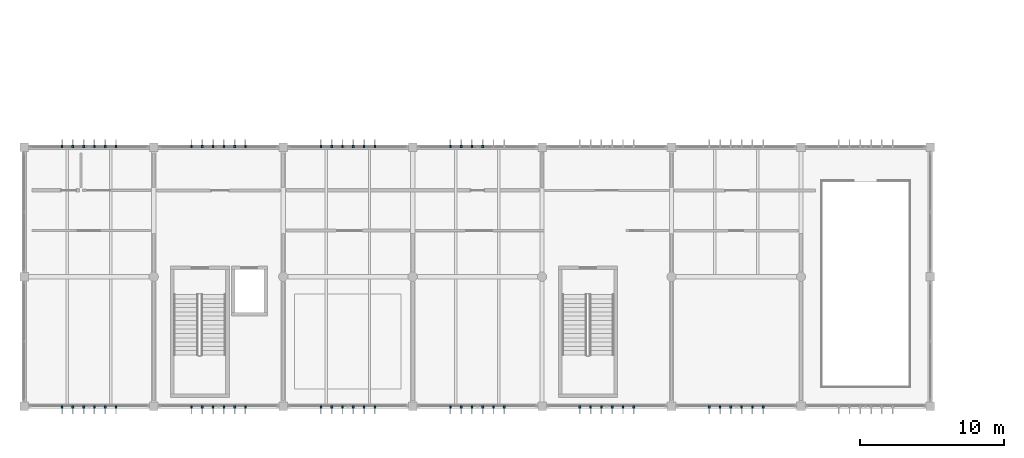
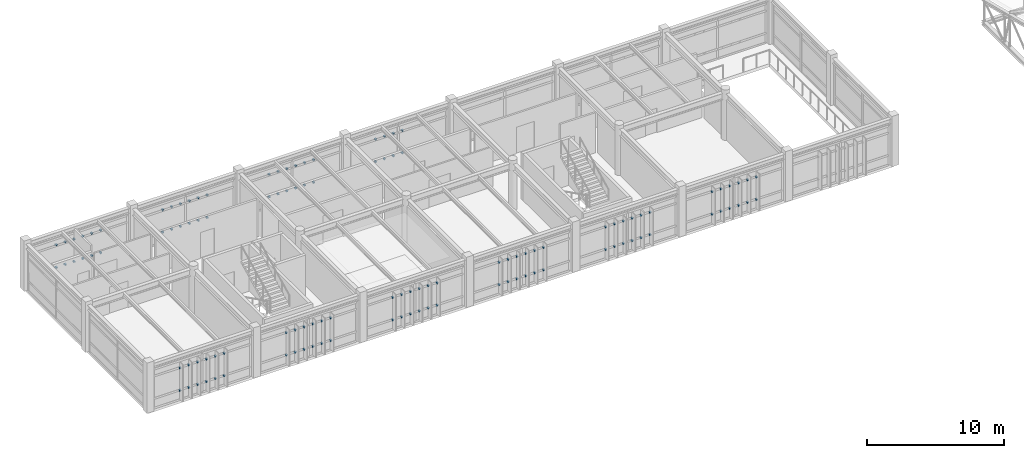
# One storey, part 48 of 55: 116 discrete accessories.
"""IFC4 building model written with IfcOpenShell, lengths in metres."""

from ifc_helpers import new_model, si_unit, direction, frame, origin, origin_2d, place, context, subcontext, project, spatial, rectangle, extrude, material, type_object, element, save


model = new_model("IFC4")

# Units and contexts
model_context = context("Model", 3, precision=1e-05, world=origin(), true_north=direction((0.0, 1.0)))
body_context = subcontext(model_context, "Body", "Model", "MODEL_VIEW")
ifc_project = project(units=[si_unit("LENGTHUNIT", "METRE"), si_unit("AREAUNIT", "SQUARE_METRE"), si_unit("VOLUMEUNIT", "CUBIC_METRE"), si_unit("PLANEANGLEUNIT", "RADIAN"), si_unit("MASSUNIT", "GRAM", prefix="KILO")], contexts=[model_context])

# Site, building, storey
site_placement = place(None, origin())
site = spatial("IfcSite", under=ifc_project, at=site_placement, CompositionType="ELEMENT")
building_placement = place(site_placement, origin())
building = spatial("IfcBuilding", under=site, at=building_placement, Name="Bozkorgan Art Gallery", CompositionType="ELEMENT")
storey_placement = place(building_placement, frame((0.0, 0.0, 15.0)))
storey = spatial("IfcBuildingStorey", under=building, at=storey_placement, Name="L03", CompositionType="ELEMENT", Elevation=15.0)

# Discrete accessories
ifc_material = material(Name="Steel S355J2", Category="steel")
discrete_accessory_type = type_object("IfcDiscreteAccessoryType", Name="ACC-BRK-01", PredefinedType="BRACKET", material=ifc_material)
for number, where, z_axis, x_axis, name in (
    (1, (4.625, 1.93994140625, 0.869873046875), (0.0, 0.0, 1.0), (0.0, -1.0, 0.0), "CW-V1-L03-1S-01 solar fin bracket 1B"),
    (2, (4.625, 1.93994140625, 2.875), (0.0, 0.0, 1.0), (0.0, -1.0, 0.0), "CW-V1-L03-1S-01 solar fin bracket 1T"),
    (3, (5.375, 1.93994140625, 0.869873046875), (0.0, 0.0, 1.0), (0.0, -1.0, 0.0), "CW-V1-L03-1S-01 solar fin bracket 2B"),
    (4, (5.375, 1.93994140625, 2.875), (0.0, 0.0, 1.0), (0.0, -1.0, 0.0), "CW-V1-L03-1S-01 solar fin bracket 2T"),
    (5, (6.125, 1.93994140625, 0.869873046875), (0.0, 0.0, 1.0), (0.0, -1.0, 0.0), "CW-V1-L03-1S-01 solar fin bracket 3B"),
    (6, (6.125, 1.93994140625, 2.875), (0.0, 0.0, 1.0), (0.0, -1.0, 0.0), "CW-V1-L03-1S-01 solar fin bracket 3T"),
    (7, (6.875, 1.93994140625, 0.869873046875), (0.0, 0.0, 1.0), (0.0, -1.0, 0.0), "CW-V1-L03-1S-01 solar fin bracket 4B"),
    (8, (6.875, 1.93994140625, 2.875), (0.0, 0.0, 1.0), (0.0, -1.0, 0.0), "CW-V1-L03-1S-01 solar fin bracket 4T"),
    (9, (7.625, 1.93994140625, 0.869873046875), (0.0, 0.0, 1.0), (0.0, -1.0, 0.0), "CW-V1-L03-1S-01 solar fin bracket 5B"),
    (10, (7.625, 1.93994140625, 2.875), (0.0, 0.0, 1.0), (0.0, -1.0, 0.0), "CW-V1-L03-1S-01 solar fin bracket 5T"),
    (11, (8.375, 1.93994140625, 0.869873046875), (0.0, 0.0, 1.0), (0.0, -1.0, 0.0), "CW-V1-L03-1S-01 solar fin bracket 6B"),
    (12, (8.375, 1.93994140625, 2.875), (0.0, 0.0, 1.0), (0.0, -1.0, 0.0), "CW-V1-L03-1S-01 solar fin bracket 6T"),
    (13, (4.625, 20.06005859375, 0.869873046875), (0.0, 0.0, 1.0), (0.0, 1.0, 0.0), "CW-V1-L03-1N-02 solar fin bracket 1B"),
    (14, (4.625, 20.06005859375, 2.875), (0.0, 0.0, 1.0), (0.0, 1.0, 0.0), "CW-V1-L03-1N-02 solar fin bracket 1T"),
    (15, (5.375, 20.06005859375, 0.869873046875), (0.0, 0.0, 1.0), (0.0, 1.0, 0.0), "CW-V1-L03-1N-02 solar fin bracket 2B"),
    (16, (5.375, 20.06005859375, 2.875), (0.0, 0.0, 1.0), (0.0, 1.0, 0.0), "CW-V1-L03-1N-02 solar fin bracket 2T"),
    (17, (6.125, 20.06005859375, 0.869873046875), (0.0, 0.0, 1.0), (0.0, 1.0, 0.0), "CW-V1-L03-1N-02 solar fin bracket 3B"),
    (18, (6.125, 20.06005859375, 2.875), (0.0, 0.0, 1.0), (0.0, 1.0, 0.0), "CW-V1-L03-1N-02 solar fin bracket 3T"),
    (19, (6.875, 20.06005859375, 0.869873046875), (0.0, 0.0, 1.0), (0.0, 1.0, 0.0), "CW-V1-L03-1N-02 solar fin bracket 4B"),
    (20, (6.875, 20.06005859375, 2.875), (0.0, 0.0, 1.0), (0.0, 1.0, 0.0), "CW-V1-L03-1N-02 solar fin bracket 4T"),
    (21, (7.625, 20.06005859375, 0.869873046875), (0.0, 0.0, 1.0), (0.0, 1.0, 0.0), "CW-V1-L03-1N-02 solar fin bracket 5B"),
    (22, (7.625, 20.06005859375, 2.875), (0.0, 0.0, 1.0), (0.0, 1.0, 0.0), "CW-V1-L03-1N-02 solar fin bracket 5T"),
    (23, (8.375, 20.06005859375, 0.869873046875), (0.0, 0.0, 1.0), (0.0, 1.0, 0.0), "CW-V1-L03-1N-02 solar fin bracket 6B"),
    (24, (8.375, 20.06005859375, 2.875), (0.0, 0.0, 1.0), (0.0, 1.0, 0.0), "CW-V1-L03-1N-02 solar fin bracket 6T"),
    (25, (13.625, 1.93994140625, 0.869873046875), (0.0, 0.0, 1.0), (0.0, -1.0, 0.0), "CW-V1-L03-1S-03 solar fin bracket 1B"),
    (26, (13.625, 1.93994140625, 2.875), (0.0, 0.0, 1.0), (0.0, -1.0, 0.0), "CW-V1-L03-1S-03 solar fin bracket 1T"),
    (27, (14.375, 1.93994140625, 0.869873046875), (0.0, 0.0, 1.0), (0.0, -1.0, 0.0), "CW-V1-L03-1S-03 solar fin bracket 2B"),
    (28, (14.375, 1.93994140625, 2.875), (0.0, 0.0, 1.0), (0.0, -1.0, 0.0), "CW-V1-L03-1S-03 solar fin bracket 2T"),
    (29, (15.125, 1.93994140625, 0.869873046875), (0.0, 0.0, 1.0), (0.0, -1.0, 0.0), "CW-V1-L03-1S-03 solar fin bracket 3B"),
    (30, (15.125, 1.93994140625, 2.875), (0.0, 0.0, 1.0), (0.0, -1.0, 0.0), "CW-V1-L03-1S-03 solar fin bracket 3T"),
    (31, (15.875, 1.93994140625, 0.869873046875), (0.0, 0.0, 1.0), (0.0, -1.0, 0.0), "CW-V1-L03-1S-03 solar fin bracket 4B"),
    (32, (15.875, 1.93994140625, 2.875), (0.0, 0.0, 1.0), (0.0, -1.0, 0.0), "CW-V1-L03-1S-03 solar fin bracket 4T"),
    (33, (16.625, 1.93994140625, 0.869873046875), (0.0, 0.0, 1.0), (0.0, -1.0, 0.0), "CW-V1-L03-1S-03 solar fin bracket 5B"),
    (34, (16.625, 1.93994140625, 2.875), (0.0, 0.0, 1.0), (0.0, -1.0, 0.0), "CW-V1-L03-1S-03 solar fin bracket 5T"),
    (35, (17.375, 1.93994140625, 0.869873046875), (0.0, 0.0, 1.0), (0.0, -1.0, 0.0), "CW-V1-L03-1S-03 solar fin bracket 6B"),
    (36, (17.375, 1.93994140625, 2.875), (0.0, 0.0, 1.0), (0.0, -1.0, 0.0), "CW-V1-L03-1S-03 solar fin bracket 6T"),
    (37, (13.625, 20.06005859375, 0.869873046875), (0.0, 0.0, 1.0), (0.0, 1.0, 0.0), "CW-V1-L03-1N-04 solar fin bracket 1B"),
    (38, (13.625, 20.06005859375, 2.875), (0.0, 0.0, 1.0), (0.0, 1.0, 0.0), "CW-V1-L03-1N-04 solar fin bracket 1T"),
    (39, (14.375, 20.06005859375, 0.869873046875), (0.0, 0.0, 1.0), (0.0, 1.0, 0.0), "CW-V1-L03-1N-04 solar fin bracket 2B"),
    (40, (14.375, 20.06005859375, 2.875), (0.0, 0.0, 1.0), (0.0, 1.0, 0.0), "CW-V1-L03-1N-04 solar fin bracket 2T"),
    (41, (15.125, 20.06005859375, 0.869873046875), (0.0, 0.0, 1.0), (0.0, 1.0, 0.0), "CW-V1-L03-1N-04 solar fin bracket 3B"),
    (42, (15.125, 20.06005859375, 2.875), (0.0, 0.0, 1.0), (0.0, 1.0, 0.0), "CW-V1-L03-1N-04 solar fin bracket 3T"),
    (43, (15.875, 20.06005859375, 0.869873046875), (0.0, 0.0, 1.0), (0.0, 1.0, 0.0), "CW-V1-L03-1N-04 solar fin bracket 4B"),
    (44, (15.875, 20.06005859375, 2.875), (0.0, 0.0, 1.0), (0.0, 1.0, 0.0), "CW-V1-L03-1N-04 solar fin bracket 4T"),
    (45, (16.625, 20.06005859375, 0.869873046875), (0.0, 0.0, 1.0), (0.0, 1.0, 0.0), "CW-V1-L03-1N-04 solar fin bracket 5B"),
    (46, (16.625, 20.06005859375, 2.875), (0.0, 0.0, 1.0), (0.0, 1.0, 0.0), "CW-V1-L03-1N-04 solar fin bracket 5T"),
    (47, (17.375, 20.06005859375, 0.869873046875), (0.0, 0.0, 1.0), (0.0, 1.0, 0.0), "CW-V1-L03-1N-04 solar fin bracket 6B"),
    (48, (17.375, 20.06005859375, 2.875), (0.0, 0.0, 1.0), (0.0, 1.0, 0.0), "CW-V1-L03-1N-04 solar fin bracket 6T"),
    (49, (22.625, 1.93994140625, 0.869873046875), (0.0, 0.0, 1.0), (0.0, -1.0, 0.0), "CW-V1-L03-1S-05 solar fin bracket 1B"),
    (50, (22.625, 1.93994140625, 2.875), (0.0, 0.0, 1.0), (0.0, -1.0, 0.0), "CW-V1-L03-1S-05 solar fin bracket 1T"),
    (51, (23.375, 1.93994140625, 0.869873046875), (0.0, 0.0, 1.0), (0.0, -1.0, 0.0), "CW-V1-L03-1S-05 solar fin bracket 2B"),
    (52, (23.375, 1.93994140625, 2.875), (0.0, 0.0, 1.0), (0.0, -1.0, 0.0), "CW-V1-L03-1S-05 solar fin bracket 2T"),
    (53, (24.125, 1.93994140625, 0.869873046875), (0.0, 0.0, 1.0), (0.0, -1.0, 0.0), "CW-V1-L03-1S-05 solar fin bracket 3B"),
    (54, (24.125, 1.93994140625, 2.875), (0.0, 0.0, 1.0), (0.0, -1.0, 0.0), "CW-V1-L03-1S-05 solar fin bracket 3T"),
    (55, (24.875, 1.93994140625, 0.869873046875), (0.0, 0.0, 1.0), (0.0, -1.0, 0.0), "CW-V1-L03-1S-05 solar fin bracket 4B"),
    (56, (24.875, 1.93994140625, 2.875), (0.0, 0.0, 1.0), (0.0, -1.0, 0.0), "CW-V1-L03-1S-05 solar fin bracket 4T"),
    (57, (25.625, 1.93994140625, 0.869873046875), (0.0, 0.0, 1.0), (0.0, -1.0, 0.0), "CW-V1-L03-1S-05 solar fin bracket 5B"),
    (58, (25.625, 1.93994140625, 2.875), (0.0, 0.0, 1.0), (0.0, -1.0, 0.0), "CW-V1-L03-1S-05 solar fin bracket 5T"),
    (59, (26.375, 1.93994140625, 0.869873046875), (0.0, 0.0, 1.0), (0.0, -1.0, 0.0), "CW-V1-L03-1S-05 solar fin bracket 6B"),
    (60, (26.375, 1.93994140625, 2.875), (0.0, 0.0, 1.0), (0.0, -1.0, 0.0), "CW-V1-L03-1S-05 solar fin bracket 6T"),
    (61, (22.625, 20.06005859375, 0.869873046875), (0.0, 0.0, 1.0), (0.0, 1.0, 0.0), "CW-V1-L03-1N-06 solar fin bracket 1B"),
    (62, (22.625, 20.06005859375, 2.875), (0.0, 0.0, 1.0), (0.0, 1.0, 0.0), "CW-V1-L03-1N-06 solar fin bracket 1T"),
    (63, (23.375, 20.06005859375, 0.869873046875), (0.0, 0.0, 1.0), (0.0, 1.0, 0.0), "CW-V1-L03-1N-06 solar fin bracket 2B"),
    (64, (23.375, 20.06005859375, 2.875), (0.0, 0.0, 1.0), (0.0, 1.0, 0.0), "CW-V1-L03-1N-06 solar fin bracket 2T"),
    (65, (24.125, 20.06005859375, 0.869873046875), (0.0, 0.0, 1.0), (0.0, 1.0, 0.0), "CW-V1-L03-1N-06 solar fin bracket 3B"),
    (66, (24.125, 20.06005859375, 2.875), (0.0, 0.0, 1.0), (0.0, 1.0, 0.0), "CW-V1-L03-1N-06 solar fin bracket 3T"),
    (67, (24.875, 20.06005859375, 0.869873046875), (0.0, 0.0, 1.0), (0.0, 1.0, 0.0), "CW-V1-L03-1N-06 solar fin bracket 4B"),
    (68, (24.875, 20.06005859375, 2.875), (0.0, 0.0, 1.0), (0.0, 1.0, 0.0), "CW-V1-L03-1N-06 solar fin bracket 4T"),
    (69, (25.625, 20.06005859375, 0.869873046875), (0.0, 0.0, 1.0), (0.0, 1.0, 0.0), "CW-V1-L03-1N-06 solar fin bracket 5B"),
    (70, (25.625, 20.06005859375, 2.875), (0.0, 0.0, 1.0), (0.0, 1.0, 0.0), "CW-V1-L03-1N-06 solar fin bracket 5T"),
    (71, (26.375, 20.06005859375, 0.869873046875), (0.0, 0.0, 1.0), (0.0, 1.0, 0.0), "CW-V1-L03-1N-06 solar fin bracket 6B"),
    (72, (26.375, 20.06005859375, 2.875), (0.0, 0.0, 1.0), (0.0, 1.0, 0.0), "CW-V1-L03-1N-06 solar fin bracket 6T"),
    (73, (31.625, 1.93994140625, 0.869873046875), (0.0, 0.0, 1.0), (0.0, -1.0, 0.0), "CW-V1-L03-1S-07 solar fin bracket 1B"),
    (74, (31.625, 1.93994140625, 2.875), (0.0, 0.0, 1.0), (0.0, -1.0, 0.0), "CW-V1-L03-1S-07 solar fin bracket 1T"),
    (75, (32.375, 1.93994140625, 0.869873046875), (0.0, 0.0, 1.0), (0.0, -1.0, 0.0), "CW-V1-L03-1S-07 solar fin bracket 2B"),
    (76, (32.375, 1.93994140625, 2.875), (0.0, 0.0, 1.0), (0.0, -1.0, 0.0), "CW-V1-L03-1S-07 solar fin bracket 2T"),
    (77, (33.125, 1.93994140625, 0.869873046875), (0.0, 0.0, 1.0), (0.0, -1.0, 0.0), "CW-V1-L03-1S-07 solar fin bracket 3B"),
    (78, (33.125, 1.93994140625, 2.875), (0.0, 0.0, 1.0), (0.0, -1.0, 0.0), "CW-V1-L03-1S-07 solar fin bracket 3T"),
    (79, (33.875, 1.93994140625, 0.869873046875), (0.0, 0.0, 1.0), (0.0, -1.0, 0.0), "CW-V1-L03-1S-07 solar fin bracket 4B"),
    (80, (33.875, 1.93994140625, 2.875), (0.0, 0.0, 1.0), (0.0, -1.0, 0.0), "CW-V1-L03-1S-07 solar fin bracket 4T"),
    (81, (34.625, 1.93994140625, 0.869873046875), (0.0, 0.0, 1.0), (0.0, -1.0, 0.0), "CW-V1-L03-1S-07 solar fin bracket 5B"),
    (82, (34.625, 1.93994140625, 2.875), (0.0, 0.0, 1.0), (0.0, -1.0, 0.0), "CW-V1-L03-1S-07 solar fin bracket 5T"),
    (83, (35.375, 1.93994140625, 0.869873046875), (0.0, 0.0, 1.0), (0.0, -1.0, 0.0), "CW-V1-L03-1S-07 solar fin bracket 6B"),
    (84, (35.375, 1.93994140625, 2.875), (0.0, 0.0, 1.0), (0.0, -1.0, 0.0), "CW-V1-L03-1S-07 solar fin bracket 6T"),
    (85, (31.625, 20.06005859375, 0.869873046875), (0.0, 0.0, 1.0), (0.0, 1.0, 0.0), "CW-V1-L03-1N-08 solar fin bracket 1B"),
    (86, (31.625, 20.06005859375, 2.875), (0.0, 0.0, 1.0), (0.0, 1.0, 0.0), "CW-V1-L03-1N-08 solar fin bracket 1T"),
    (87, (32.375, 20.06005859375, 0.869873046875), (0.0, 0.0, 1.0), (0.0, 1.0, 0.0), "CW-V1-L03-1N-08 solar fin bracket 2B"),
    (88, (32.375, 20.06005859375, 2.875), (0.0, 0.0, 1.0), (0.0, 1.0, 0.0), "CW-V1-L03-1N-08 solar fin bracket 2T"),
    (89, (33.125, 20.06005859375, 0.869873046875), (0.0, 0.0, 1.0), (0.0, 1.0, 0.0), "CW-V1-L03-1N-08 solar fin bracket 3B"),
    (90, (33.125, 20.06005859375, 2.875), (0.0, 0.0, 1.0), (0.0, 1.0, 0.0), "CW-V1-L03-1N-08 solar fin bracket 3T"),
    (91, (33.875, 20.06005859375, 0.869873046875), (0.0, 0.0, 1.0), (0.0, 1.0, 0.0), "CW-V1-L03-1N-08 solar fin bracket 4B"),
    (92, (33.875, 20.06005859375, 2.875), (0.0, 0.0, 1.0), (0.0, 1.0, 0.0), "CW-V1-L03-1N-08 solar fin bracket 4T"),
    (93, (40.625, 1.93994140625, 0.869873046875), (0.0, 0.0, 1.0), (0.0, -1.0, 0.0), "CW-V1-L03-1S-09 solar fin bracket 1B"),
    (94, (40.625, 1.93994140625, 2.875), (0.0, 0.0, 1.0), (0.0, -1.0, 0.0), "CW-V1-L03-1S-09 solar fin bracket 1T"),
    (95, (41.375, 1.93994140625, 0.869873046875), (0.0, 0.0, 1.0), (0.0, -1.0, 0.0), "CW-V1-L03-1S-09 solar fin bracket 2B"),
    (96, (41.375, 1.93994140625, 2.875), (0.0, 0.0, 1.0), (0.0, -1.0, 0.0), "CW-V1-L03-1S-09 solar fin bracket 2T"),
    (97, (42.125, 1.93994140625, 0.869873046875), (0.0, 0.0, 1.0), (0.0, -1.0, 0.0), "CW-V1-L03-1S-09 solar fin bracket 3B"),
    (98, (42.125, 1.93994140625, 2.875), (0.0, 0.0, 1.0), (0.0, -1.0, 0.0), "CW-V1-L03-1S-09 solar fin bracket 3T"),
    (99, (42.875, 1.93994140625, 0.869873046875), (0.0, 0.0, 1.0), (0.0, -1.0, 0.0), "CW-V1-L03-1S-09 solar fin bracket 4B"),
    (100, (42.875, 1.93994140625, 2.875), (0.0, 0.0, 1.0), (0.0, -1.0, 0.0), "CW-V1-L03-1S-09 solar fin bracket 4T"),
    (101, (43.625, 1.93994140625, 0.869873046875), (0.0, 0.0, 1.0), (0.0, -1.0, 0.0), "CW-V1-L03-1S-09 solar fin bracket 5B"),
    (102, (43.625, 1.93994140625, 2.875), (0.0, 0.0, 1.0), (0.0, -1.0, 0.0), "CW-V1-L03-1S-09 solar fin bracket 5T"),
    (103, (44.375, 1.93994140625, 0.869873046875), (0.0, 0.0, 1.0), (0.0, -1.0, 0.0), "CW-V1-L03-1S-09 solar fin bracket 6B"),
    (104, (44.375, 1.93994140625, 2.875), (0.0, 0.0, 1.0), (0.0, -1.0, 0.0), "CW-V1-L03-1S-09 solar fin bracket 6T"),
    (105, (49.625, 1.93994140625, 0.869873046875), (0.0, 0.0, 1.0), (0.0, -1.0, 0.0), "CW-V1-L03-1S-11 solar fin bracket 1B"),
    (106, (49.625, 1.93994140625, 2.875), (0.0, 0.0, 1.0), (0.0, -1.0, 0.0), "CW-V1-L03-1S-11 solar fin bracket 1T"),
    (107, (50.375, 1.93994140625, 0.869873046875), (0.0, 0.0, 1.0), (0.0, -1.0, 0.0), "CW-V1-L03-1S-11 solar fin bracket 2B"),
    (108, (50.375, 1.93994140625, 2.875), (0.0, 0.0, 1.0), (0.0, -1.0, 0.0), "CW-V1-L03-1S-11 solar fin bracket 2T"),
    (109, (51.125, 1.93994140625, 0.869873046875), (0.0, 0.0, 1.0), (0.0, -1.0, 0.0), "CW-V1-L03-1S-11 solar fin bracket 3B"),
    (110, (51.125, 1.93994140625, 2.875), (0.0, 0.0, 1.0), (0.0, -1.0, 0.0), "CW-V1-L03-1S-11 solar fin bracket 3T"),
    (111, (51.875, 1.93994140625, 0.869873046875), (0.0, 0.0, 1.0), (0.0, -1.0, 0.0), "CW-V1-L03-1S-11 solar fin bracket 4B"),
    (112, (51.875, 1.93994140625, 2.875), (0.0, 0.0, 1.0), (0.0, -1.0, 0.0), "CW-V1-L03-1S-11 solar fin bracket 4T"),
    (113, (52.625, 1.93994140625, 0.869873046875), (0.0, 0.0, 1.0), (0.0, -1.0, 0.0), "CW-V1-L03-1S-11 solar fin bracket 5B"),
    (114, (52.625, 1.93994140625, 2.875), (0.0, 0.0, 1.0), (0.0, -1.0, 0.0), "CW-V1-L03-1S-11 solar fin bracket 5T"),
    (115, (53.375, 1.93994140625, 0.869873046875), (0.0, 0.0, 1.0), (0.0, -1.0, 0.0), "CW-V1-L03-1S-11 solar fin bracket 6B"),
    (116, (53.375, 1.93994140625, 2.875), (0.0, 0.0, 1.0), (0.0, -1.0, 0.0), "CW-V1-L03-1S-11 solar fin bracket 6T"),
):
    element("IfcDiscreteAccessory", number, at=place(storey_placement, frame(where, z_axis=z_axis, x_axis=x_axis)), inside=storey, type_object=discrete_accessory_type, Name=name, PredefinedType="BRACKET", context=body_context, shape_type="SweptSolid", body=[
        extrude(rectangle(XDim=0.179931640625, YDim=0.1201171875, at=origin_2d()), origin(), (0.0, 0.0, 1.0), 0.10009765625),
    ])

save(model, "model.ifc")
